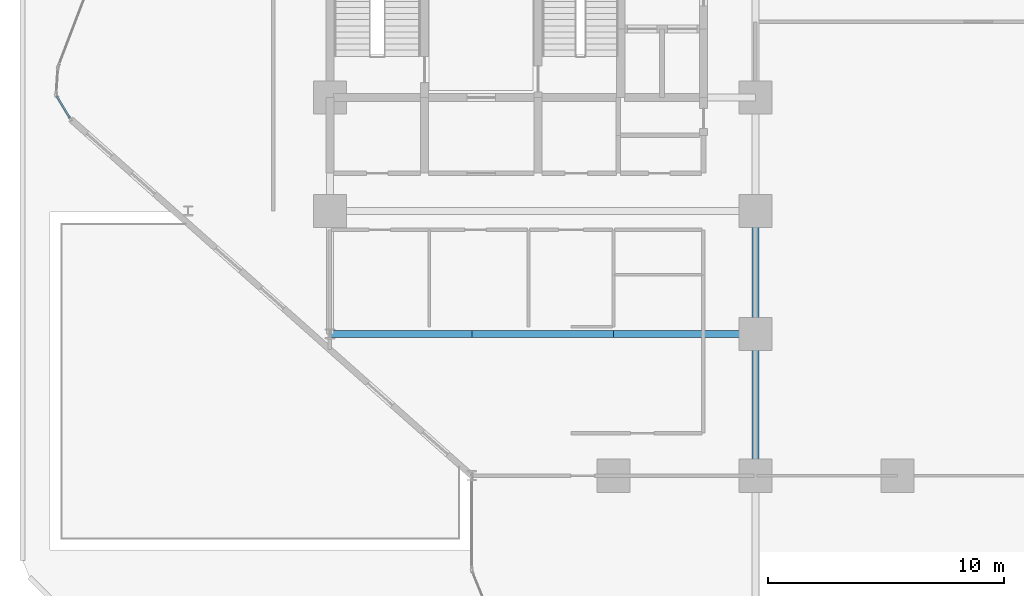
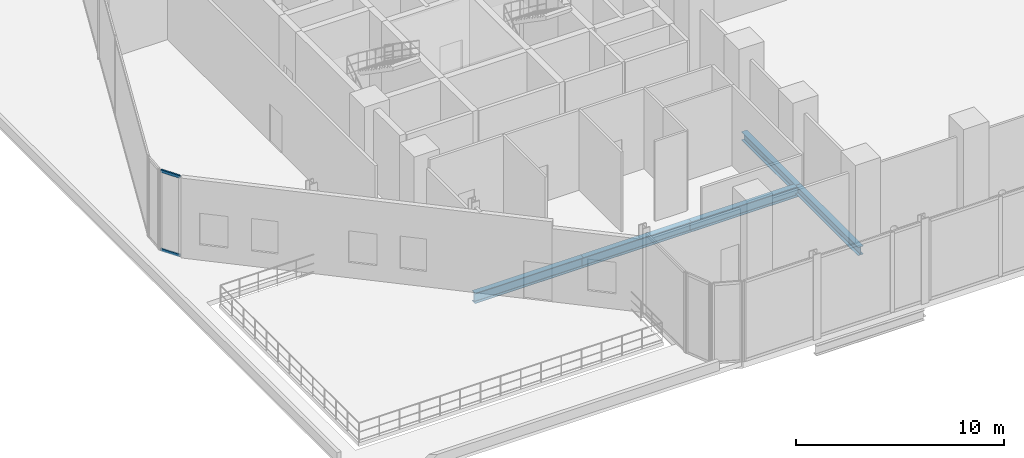
# One storey, part 3 of 29: 5 beams, 2 members, 1 element without a shape of its own.
"""IFC4 building model written with IfcOpenShell, lengths in metres."""

from ifc_helpers import new_model, si_unit, direction, frame, origin, origin_2d, place, context, subcontext, project, spatial, hollow_rectangle, i_section, extrude, material, layer, layer_set, material_profile, profile_set, type_object, element, aggregate, save


model = new_model("IFC4")

# Units and contexts
model_context = context("Model", 3, precision=1e-05, world=origin(), true_north=direction((0.0, 1.0)))
body_context = subcontext(model_context, "Body", "Model", "MODEL_VIEW")
ifc_project = project(units=[si_unit("LENGTHUNIT", "METRE"), si_unit("AREAUNIT", "SQUARE_METRE"), si_unit("VOLUMEUNIT", "CUBIC_METRE"), si_unit("PLANEANGLEUNIT", "RADIAN"), si_unit("MASSUNIT", "GRAM", prefix="KILO")], contexts=[model_context])

# Site, building, storey
site_placement = place(None, origin())
site = spatial("IfcSite", under=ifc_project, at=site_placement, CompositionType="ELEMENT")
building_placement = place(site_placement, origin())
building = spatial("IfcBuilding", under=site, at=building_placement, Name="Keshet Zoharim Tower", CompositionType="ELEMENT")
storey_placement = place(building_placement, frame((0.0, 0.0, 19.0)))
storey = spatial("IfcBuildingStorey", under=building, at=storey_placement, Name="L03", CompositionType="ELEMENT", Elevation=19.0)

# Beams
ifc_material_1 = material(Name="Steel S355", Category="steel")
ifc_material_profile_1 = material_profile(ifc_material_1, i_section(OverallWidth=0.300048828125, OverallDepth=0.5, WebThickness=0.014404296875, FlangeThickness=0.028076171875, FilletRadius=0.027099609375, at=origin_2d()), Name="HEB500")
ifc_profile_set_1 = profile_set([ifc_material_profile_1], Name="Steel S355")
beam_type_1 = type_object("IfcBeamType", Name="BM-WEB-HB500", PredefinedType="BEAM", material=ifc_profile_set_1)
beam_1_placement = place(storey_placement, frame((33.0, 6.699951171875, -0.669921875), z_axis=(0.0, 1.0, 0.0), x_axis=(-1.0, 0.0, 0.0)))
element("IfcBeam", 1, at=beam_1_placement, inside=storey, type_object=beam_type_1, Name="L03 Primary Girder Y-004", PredefinedType="BEAM", context=body_context, shape_type="SweptSolid", body=[
    extrude(i_section(OverallWidth=0.300048828125, OverallDepth=0.5, WebThickness=0.014404296875, FlangeThickness=0.028076171875, FilletRadius=0.027099609375, at=origin_2d()), origin(), (0.0, 0.0, 1.0), 6.0),
])
beam_2_placement = place(storey_placement, frame((33.0, 12.699951171875, -0.669921875), z_axis=(0.0, 1.0, 0.0), x_axis=(-1.0, 0.0, 0.0)))
element("IfcBeam", 2, at=beam_2_placement, inside=storey, type_object=beam_type_1, Name="L03 Primary Girder Y-005", PredefinedType="BEAM", context=body_context, shape_type="SweptSolid", body=[
    extrude(i_section(OverallWidth=0.300048828125, OverallDepth=0.5, WebThickness=0.014404296875, FlangeThickness=0.028076171875, FilletRadius=0.027099609375, at=origin_2d()), origin(), (0.0, 0.0, 1.0), 5.199951171875),
])
ifc_material_profile_2 = material_profile(ifc_material_1, i_section(OverallWidth=0.300048828125, OverallDepth=0.60009765625, WebThickness=0.015380859375, FlangeThickness=0.030029296875, FilletRadius=0.027099609375, at=origin_2d()), Name="HEB600")
ifc_profile_set_2 = profile_set([ifc_material_profile_2], Name="Steel S355")
beam_type_2 = type_object("IfcBeamType", Name="BM-WEB-HB600", PredefinedType="BEAM", material=ifc_profile_set_2)
for number, where, z_axis, x_axis, name in (
    (3, (15.0, 12.699951171875, -0.719970703125), (1.0, 0.0, 0.0), (0.0, 1.0, 0.0), "L03 Primary Girder X-002"),
    (4, (21.0, 12.699951171875, -0.719970703125), (1.0, 0.0, 0.0), (0.0, 1.0, 0.0), "L03 Primary Girder X-003"),
    (5, (27.0, 12.699951171875, -0.719970703125), (1.0, 0.0, 0.0), (0.0, 1.0, 0.0), "L03 Primary Girder X-004"),
):
    element("IfcBeam", number, at=place(storey_placement, frame(where, z_axis=z_axis, x_axis=x_axis)), inside=storey, type_object=beam_type_2, Name=name, PredefinedType="BEAM", context=body_context, shape_type="SweptSolid", body=[
        extrude(i_section(OverallWidth=0.300048828125, OverallDepth=0.60009765625, WebThickness=0.015380859375, FlangeThickness=0.030029296875, FilletRadius=0.027099609375, at=origin_2d()), origin(), (0.0, 0.0, 1.0), 6.0),
    ])

# Curtain wall, members
ifc_material_2 = material(Name="Aluminium 6063-T6", Category="aluminium")
ifc_layer = layer(ifc_material_2, 0.179931640625)
ifc_layer_set = layer_set([ifc_layer], Name="Aluminium 6063-T6")
curtain_wall_type = type_object("IfcCurtainWallType", Name="CW-SYS-01", PredefinedType="NOTDEFINED", material=ifc_layer_set)
curtain_wall_placement = place(storey_placement, origin())
curtain_wall = element("IfcCurtainWall", 6, at=curtain_wall_placement, inside=storey, type_object=curtain_wall_type, Name="L03 Unitised Curtain Wall 01", PredefinedType="NOTDEFINED")
ifc_material_profile_3 = material_profile(ifc_material_2, hollow_rectangle(XDim=0.0849609375, YDim=0.159912109375, WallThickness=0.00439453125, at=origin_2d()), Name="TRN-85x160")
ifc_profile_set_3 = profile_set([ifc_material_profile_3], Name="Aluminium 6063-T6")
member_type = type_object("IfcMemberType", Name="CWT-T16", PredefinedType="USERDEFINED", material=ifc_profile_set_3)
member_1_placement = place(storey_placement, frame((3.9990234375, 21.840087890625, 0.034912109375), z_axis=(-0.515791194107, 0.856714330499, 0.0), x_axis=(-0.856714330499, -0.515791194107, 0.0)))
member_1 = element("IfcMember", 7, at=member_1_placement, type_object=member_type, Name="CW-01 transom 1.1", ObjectType="TRANSOM", PredefinedType="USERDEFINED", context=body_context, shape_type="SweptSolid", body=[
    extrude(hollow_rectangle(XDim=0.0849609375, YDim=0.159912109375, WallThickness=0.00439453125, at=origin_2d()), origin(), (0.0, 0.0, 1.0), 1.052734375),
])
member_2_placement = place(storey_placement, frame((3.9990234375, 21.840087890625, 4.64990234375), z_axis=(-0.515791194107, 0.856714330499, 0.0), x_axis=(-0.856714330499, -0.515791194107, 0.0)))
member_2 = element("IfcMember", 8, at=member_2_placement, type_object=member_type, Name="CW-01 transom 1.2", ObjectType="TRANSOM", PredefinedType="USERDEFINED", context=body_context, shape_type="SweptSolid", body=[
    extrude(hollow_rectangle(XDim=0.0849609375, YDim=0.159912109375, WallThickness=0.00439453125, at=origin_2d()), origin(), (0.0, 0.0, 1.0), 1.052734375),
])
aggregate(curtain_wall, [member_1, member_2])

save(model, "model.ifc")
